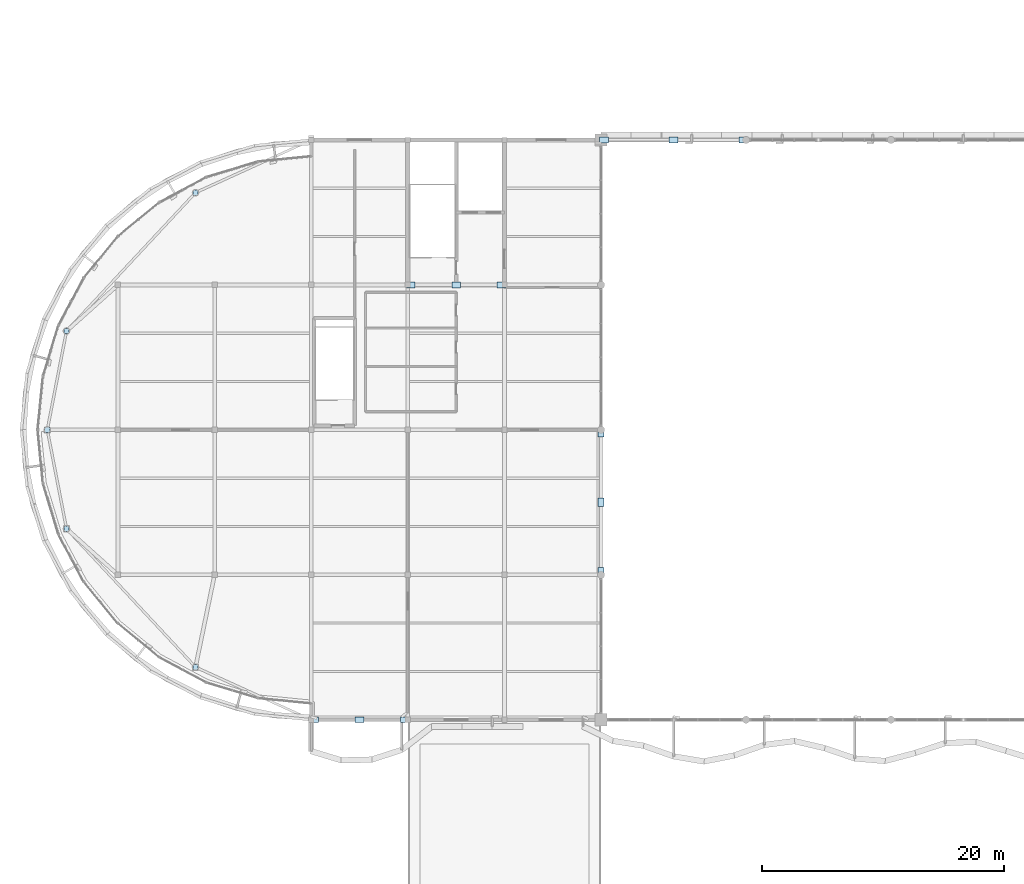
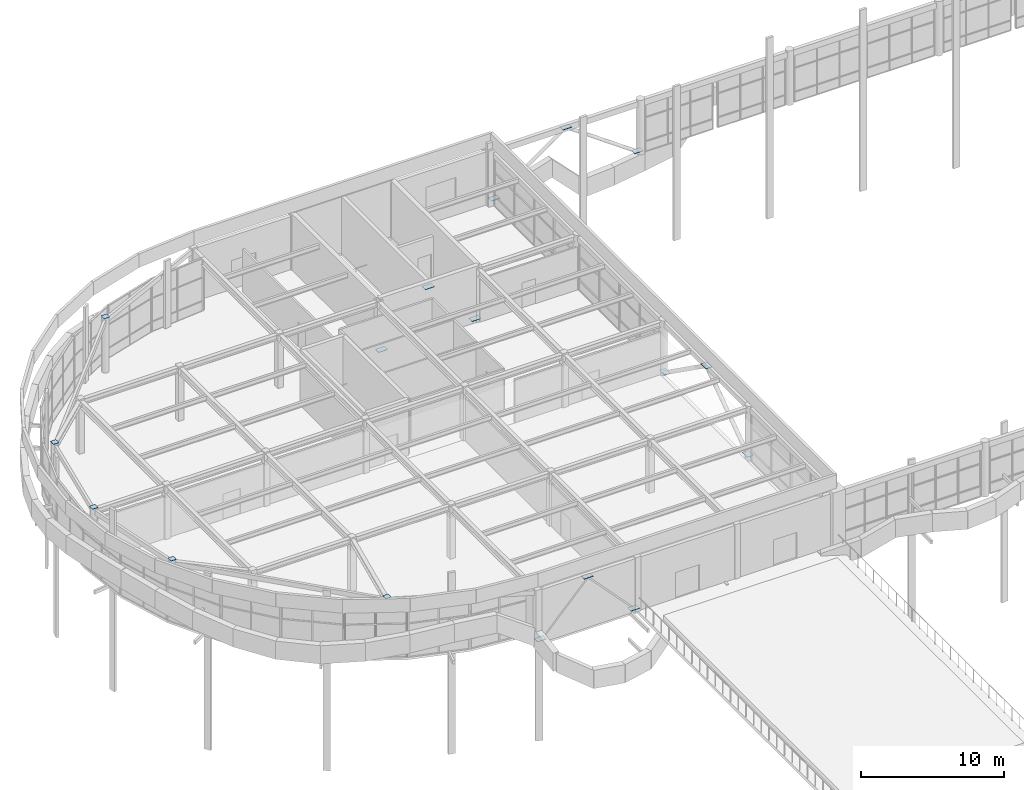
# One storey, part 42 of 63: 17 plates.
"""IFC4 building model written with IfcOpenShell, lengths in metres."""

from ifc_helpers import new_model, si_unit, direction, frame, origin, origin_2d, place, context, subcontext, project, spatial, rectangle, extrude, material, layer, layer_set, type_object, element, save


model = new_model("IFC4")

# Units and contexts
model_context = context("Model", 3, precision=1e-05, world=origin(), true_north=direction((0.0, 1.0)))
body_context = subcontext(model_context, "Body", "Model", "MODEL_VIEW")
ifc_project = project(units=[si_unit("LENGTHUNIT", "METRE"), si_unit("AREAUNIT", "SQUARE_METRE"), si_unit("VOLUMEUNIT", "CUBIC_METRE"), si_unit("PLANEANGLEUNIT", "RADIAN"), si_unit("MASSUNIT", "GRAM", prefix="KILO")], contexts=[model_context])

# Site, building, storey
site_placement = place(None, origin())
site = spatial("IfcSite", under=ifc_project, at=site_placement, CompositionType="ELEMENT")
building_placement = place(site_placement, origin())
building = spatial("IfcBuilding", under=site, at=building_placement, Name="Keelwater Ferry Terminal", CompositionType="ELEMENT")
storey_placement = place(building_placement, frame((0.0, 0.0, 10.199951171875)))
storey = spatial("IfcBuildingStorey", under=building, at=storey_placement, Name="L02", CompositionType="ELEMENT", Elevation=10.199951171875)

# Plates
ifc_material_1 = material(Name="Steel S355", Category="steel")
ifc_layer_1 = layer(ifc_material_1, 0.02490234375)
ifc_layer_set_1 = layer_set([ifc_layer_1], Name="Steel S355")
plate_type_1 = type_object("IfcPlateType", Name="CP3 440x440x25", PredefinedType="USERDEFINED", material=ifc_layer_set_1)
for number, where, z_axis, x_axis, name in (
    (1, (14.422119140625, 85.638916015625, 4.6396484375), (0.0, 0.0, 1.0), (1.0, 0.0, 0.0), "Column Top Cap Plate 69"),
    (2, (3.740966796875, 74.18505859375, 4.6396484375), (0.0, 0.0, 1.0), (1.0, 0.0, 0.0), "Column Top Cap Plate 70"),
    (3, (2.14990234375, 66.0, 4.6396484375), (0.0, 0.0, 1.0), (1.0, 0.0, 0.0), "Column Top Cap Plate 71"),
    (4, (3.740966796875, 57.81494140625, 4.6396484375), (0.0, 0.0, 1.0), (1.0, 0.0, 0.0), "Column Top Cap Plate 72"),
    (5, (14.422119140625, 46.361083984375, 4.6396484375), (0.0, 0.0, 1.0), (1.0, 0.0, 0.0), "Column Top Cap Plate 73"),
):
    element("IfcPlate", number, at=place(storey_placement, frame(where, z_axis=z_axis, x_axis=x_axis)), inside=storey, type_object=plate_type_1, Name=name, ObjectType="GUSSET PLATE", PredefinedType="USERDEFINED", context=body_context, shape_type="SweptSolid", body=[
        extrude(rectangle(XDim=0.43994140625, YDim=0.43994140625, at=origin_2d()), origin(), (0.0, 0.0, 1.0), 0.02490234375),
    ])
ifc_material_2 = material(Name="Steel S355", Category="steel")
ifc_layer_2 = layer(ifc_material_2, 0.02490234375)
ifc_layer_set_2 = layer_set([ifc_layer_2], Name="Steel S355")
plate_type_2 = type_object("IfcPlateType", Name="GP3 720x480x25", PredefinedType="USERDEFINED", material=ifc_layer_set_2)
for number, where, z_axis, x_axis, name in (
    (6, (28.0, 42.0, 4.257568359375), (0.0, 0.0, 1.0), (1.0, 0.0, 0.0), "Connection Gusset Plate 51"),
    (7, (24.239990234375, 42.0, 0.2275390625), (0.0, 0.0, 1.0), (1.0, 0.0, 0.0), "Connection Gusset Plate 52"),
    (8, (31.760009765625, 42.0, 0.2275390625), (0.0, 0.0, 1.0), (1.0, 0.0, 0.0), "Connection Gusset Plate 53"),
    (9, (36.0, 78.0, 4.257568359375), (0.0, 0.0, 1.0), (1.0, 0.0, 0.0), "Connection Gusset Plate 60"),
    (10, (32.239990234375, 78.0, 0.2275390625), (0.0, 0.0, 1.0), (1.0, 0.0, 0.0), "Connection Gusset Plate 61"),
    (11, (39.760009765625, 78.0, 0.2275390625), (0.0, 0.0, 1.0), (1.0, 0.0, 0.0), "Connection Gusset Plate 62"),
    (12, (54.0, 90.0, 4.257568359375), (0.0, 0.0, 1.0), (1.0, 0.0, 0.0), "Connection Gusset Plate 69"),
    (13, (48.239990234375, 90.0, 0.2275390625), (0.0, 0.0, 1.0), (1.0, 0.0, 0.0), "Connection Gusset Plate 70"),
    (14, (59.760009765625, 90.0, 0.2275390625), (0.0, 0.0, 1.0), (1.0, 0.0, 0.0), "Connection Gusset Plate 71"),
    (15, (48.0, 60.0, 4.257568359375), (0.0, 0.0, 1.0), (0.0, 1.0, 0.0), "Connection Gusset Plate 78"),
    (16, (48.0, 54.239990234375, 0.2275390625), (0.0, 0.0, 1.0), (0.0, 1.0, 0.0), "Connection Gusset Plate 79"),
    (17, (48.0, 65.760009765625, 0.2275390625), (0.0, 0.0, 1.0), (0.0, 1.0, 0.0), "Connection Gusset Plate 80"),
):
    element("IfcPlate", number, at=place(storey_placement, frame(where, z_axis=z_axis, x_axis=x_axis)), inside=storey, type_object=plate_type_2, Name=name, ObjectType="GUSSET PLATE", PredefinedType="USERDEFINED", context=body_context, shape_type="SweptSolid", body=[
        extrude(rectangle(XDim=0.719970703125, YDim=0.47998046875, at=origin_2d()), origin(), (0.0, 0.0, 1.0), 0.02490234375),
    ])

save(model, "model.ifc")
